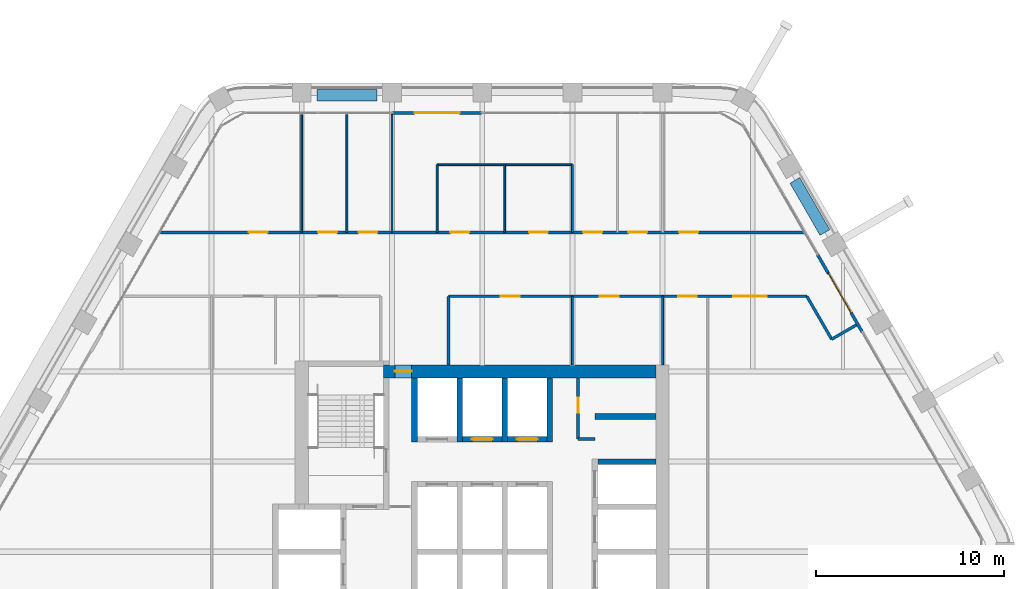
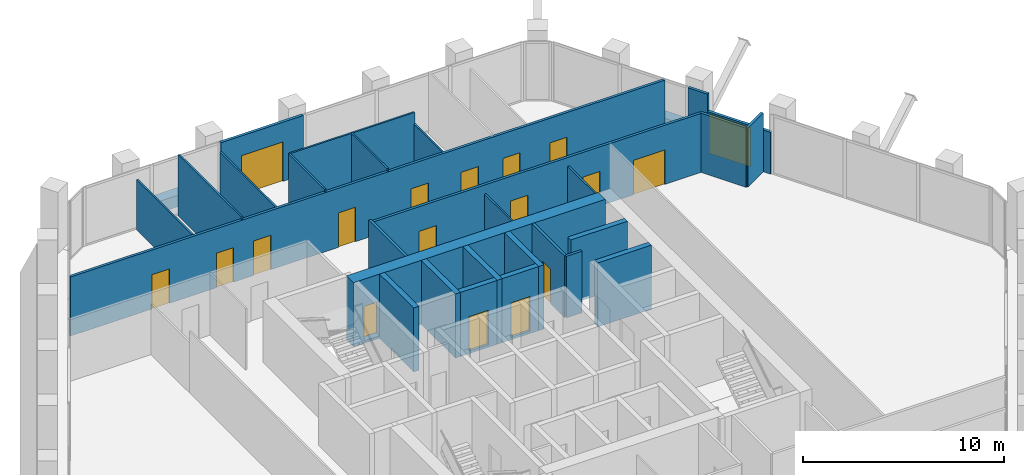
# One storey, part 12 of 16: 30 walls, 18 doors, 18 openings.
"""IFC4 building model written with IfcOpenShell, lengths in metres."""

from ifc_helpers import new_model, si_unit, direction, frame, frame_2d, origin, place, context, subcontext, project, spatial, rectangle, extrude, material, layer, layer_set, type_object, element, fill, save


model = new_model("IFC4")

# Units and contexts
model_context = context("Model", 3, precision=1e-05, world=origin(), true_north=direction((0.0, 1.0)))
body_context = subcontext(model_context, "Body", "Model", "MODEL_VIEW")
ifc_project = project(units=[si_unit("LENGTHUNIT", "METRE"), si_unit("AREAUNIT", "SQUARE_METRE"), si_unit("VOLUMEUNIT", "CUBIC_METRE"), si_unit("PLANEANGLEUNIT", "RADIAN"), si_unit("MASSUNIT", "GRAM", prefix="KILO")], contexts=[model_context])

# Site, building, storey
site_placement = place(None, origin())
site = spatial("IfcSite", under=ifc_project, at=site_placement, CompositionType="ELEMENT")
building_placement = place(site_placement, origin())
building = spatial("IfcBuilding", under=site, at=building_placement, Name="Kolab Exchange Tower", CompositionType="ELEMENT")
storey_placement = place(building_placement, frame((0.0, 0.0, 177.800048828125)))
storey = spatial("IfcBuildingStorey", under=building, at=storey_placement, Name="L37", CompositionType="ELEMENT", Elevation=177.800048828125)

# Wall, opening, door
ifc_material_1 = material(Name="Concrete C60/75", Category="concrete")
ifc_layer_1 = layer(ifc_material_1, 0.699951171875)
ifc_layer_set_1 = layer_set([ifc_layer_1], Name="Concrete C60/75")
wall_type_1 = type_object("IfcWallType", Name="CORE WALL 700 C60/75", PredefinedType="SHEAR", material=ifc_layer_set_1)
wall_1_placement = place(storey_placement, frame((-5.25, 9.60009765625, -0.150146484375), z_axis=(0.0, 0.0, 1.0), x_axis=(1.0, 0.0, 0.0)))
wall_1 = element("IfcWall", 1, at=wall_1_placement, inside=storey, type_object=wall_type_1, Name="wall/L37/core/031", PredefinedType="SHEAR", context=body_context, shape_type="SweptSolid", body=[
    extrude(rectangle(XDim=14.5, YDim=0.699951171875, at=frame_2d((7.25, 0.0))), origin(), (0.0, 0.0, 1.0), 3.900146484375),
])
opening_1_placement = place(wall_1_placement, frame((0.60009765625, 0.0, 0.14990234375)))
opening_1 = element("IfcOpeningElement", 2, at=opening_1_placement, cuts=wall_1, Name="Opening D6-289", PredefinedType="OPENING", context=body_context, shape_type="SweptSolid", body=[
    extrude(rectangle(XDim=0.89990234375, YDim=2.10009765625, at=frame_2d((0.449951171875, 1.050048828125))), frame((0.0, 0.35986328125, 0.0), z_axis=(0.0, -1.0, 0.0), x_axis=(1.0, 0.0, 0.0)), (0.0, 0.0, 1.0), 0.719970703125),
])
ifc_material_2 = material(Name="Steel S235", Category="steel")
door_type_1 = type_object("IfcDoorType", Name="CORE DOOR 900 EI 120", OperationType="SINGLE_SWING_LEFT", PredefinedType="DOOR", material=ifc_material_2)
door_1_placement = place(opening_1_placement, frame((0.89990234375, 0.0, 0.0), z_axis=(0.0, 0.0, 1.0), x_axis=(-1.0, 0.0, 0.0)))
door_1 = element("IfcDoor", 3, at=door_1_placement, inside=storey, type_object=door_type_1, Name="Core lobby door", OperationType="SINGLE_SWING_RIGHT", OverallHeight=2.10009765625, OverallWidth=0.89990234375, PredefinedType="DOOR", context=body_context, shape_type="SweptSolid", body=[
    extrude(rectangle(XDim=0.89990234375, YDim=2.10009765625, at=frame_2d((0.449951171875, 1.050048828125))), frame((0.0, 0.02490234375, 0.0), z_axis=(0.0, -1.0, 0.0), x_axis=(1.0, 0.0, 0.0)), (0.0, 0.0, 1.0), 0.050048828125),
])
fill(opening_1, door_1)

ifc_material_3 = material(Name="Aluminium EN AW-6063 T6", Category="aluminium")
ifc_layer_2 = layer(ifc_material_3, 0.159912109375)
ifc_layer_set_2 = layer_set([ifc_layer_2], Name="Aluminium EN AW-6063 T6")
wall_type_2 = type_object("IfcWallType", Name="DOOR SURROUND WALL 160 ALUMINIUM FRAMED", PredefinedType="PARTITIONING", material=ifc_layer_set_2)
wall_2_placement = place(storey_placement, frame((-4.77001953125, 23.361572265625, 0.0), z_axis=(0.0, 0.0, 1.0), x_axis=(1.0, 0.0, 0.0)))
wall_2 = element("IfcWall", 4, at=wall_2_placement, inside=storey, type_object=wall_type_2, Name="Door surround wall", PredefinedType="PARTITIONING", context=body_context, shape_type="SweptSolid", body=[
    extrude(rectangle(XDim=4.739990234375, YDim=0.159912109375, at=frame_2d((2.3701171875, 0.0))), origin(), (0.0, 0.0, 1.0), 3.599853515625),
])
opening_2_placement = place(wall_2_placement, frame((1.169921875, 0.0, 0.0)))
opening_2 = element("IfcOpeningElement", 5, at=opening_2_placement, cuts=wall_2, Name="Opening GD1-070", PredefinedType="OPENING", context=body_context, shape_type="SweptSolid", body=[
    extrude(rectangle(XDim=2.39990234375, YDim=2.39990234375, at=frame_2d((1.199951171875, 1.199951171875))), frame((0.0, 0.08984375, 0.0), z_axis=(0.0, -1.0, 0.0), x_axis=(1.0, 0.0, 0.0)), (0.0, 0.0, 1.0), 0.179931640625),
])
door_type_2 = type_object("IfcDoorType", Name="LOGGIA SLIDING GLASS DOOR 2400 X 2400", OperationType="DOUBLE_DOOR_SINGLE_SWING", PredefinedType="DOOR", material=ifc_material_3)
door_2_placement = place(opening_2_placement, origin())
door_2 = element("IfcDoor", 6, at=door_2_placement, inside=storey, type_object=door_type_2, Name="Loggia door", OperationType="DOUBLE_DOOR_SLIDING", OverallHeight=2.39990234375, OverallWidth=2.39990234375, PredefinedType="DOOR", context=body_context, shape_type="SweptSolid", body=[
    extrude(rectangle(XDim=2.39990234375, YDim=2.39990234375, at=frame_2d((1.199951171875, 1.199951171875))), frame((0.0, 0.02490234375, 0.0), z_axis=(0.0, -1.0, 0.0), x_axis=(1.0, 0.0, 0.0)), (0.0, 0.0, 1.0), 0.050048828125),
])
fill(opening_2, door_2)

wall_3_placement = place(storey_placement, frame((18.40673828125, 14.841796875, 0.0), z_axis=(0.0, 0.0, 1.0), x_axis=(0.500012402131, -0.866018243292, 0.0)))
wall_3 = element("IfcWall", 7, at=wall_3_placement, inside=storey, type_object=wall_type_2, Name="Door surround wall", PredefinedType="PARTITIONING", context=body_context, shape_type="SweptSolid", body=[
    extrude(rectangle(XDim=3.6201171875, YDim=0.159912109375, at=frame_2d((1.81005859375, 0.0))), origin(), (0.0, 0.0, 1.0), 2.550048828125),
])
opening_3_placement = place(wall_3_placement, frame((0.050048828125, 0.0, 0.0)))
opening_3 = element("IfcOpeningElement", 8, at=opening_3_placement, cuts=wall_3, Name="Opening GD1-080", PredefinedType="OPENING", context=body_context, shape_type="SweptSolid", body=[
    extrude(rectangle(XDim=2.39990234375, YDim=2.39990234375, at=frame_2d((1.199951171875, 1.199951171875))), frame((0.0, 0.08984375, 0.0), z_axis=(0.0, -1.0, 0.0), x_axis=(1.0, 0.0, 0.0)), (0.0, 0.0, 1.0), 0.179931640625),
])
door_3_placement = place(opening_3_placement, origin())
door_3 = element("IfcDoor", 9, at=door_3_placement, inside=storey, type_object=door_type_2, Name="Loggia door", OperationType="DOUBLE_DOOR_SLIDING", OverallHeight=2.39990234375, OverallWidth=2.39990234375, PredefinedType="DOOR", context=body_context, shape_type="SweptSolid", body=[
    extrude(rectangle(XDim=2.39990234375, YDim=2.39990234375, at=frame_2d((1.199951171875, 1.199951171875))), frame((0.0, 0.02490234375, 0.0), z_axis=(0.0, -1.0, 0.0), x_axis=(1.0, 0.0, 0.0)), (0.0, 0.0, 1.0), 0.050048828125),
])
fill(opening_3, door_3)

# Walls
wall_4_placement = place(storey_placement, frame((17.8466796875, 15.811767578125, 0.0), z_axis=(0.0, 0.0, 1.0), x_axis=(0.500030632641, -0.866007717299, 0.0)))
element("IfcWall", 10, at=wall_4_placement, inside=storey, type_object=wall_type_2, Name="Door surround wall", PredefinedType="PARTITIONING", context=body_context, shape_type="SweptSolid", body=[
    extrude(rectangle(XDim=1.1201171875, YDim=0.159912109375, at=frame_2d((0.56005859375, 0.0))), origin(), (0.0, 0.0, 1.0), 3.599853515625),
])
ifc_material_4 = material(Name="Concrete C50/60", Category="concrete")
ifc_layer_3 = layer(ifc_material_4, 0.300048828125)
ifc_layer_set_3 = layer_set([ifc_layer_3], Name="Concrete C50/60")
wall_type_3 = type_object("IfcWallType", Name="LIFT SHAFT WALL 300 C50/60", PredefinedType="STANDARD", material=ifc_layer_set_3)
wall_5_placement = place(storey_placement, frame((6.14990234375, 4.800048828125, -0.150146484375), z_axis=(0.0, 0.0, 1.0), x_axis=(1.0, 0.0, 0.0)))
element("IfcWall", 11, at=wall_5_placement, inside=storey, type_object=wall_type_3, Name="wall/L37/core/026", PredefinedType="STANDARD", context=body_context, shape_type="SweptSolid", body=[
    extrude(rectangle(XDim=3.10009765625, YDim=0.300048828125, at=frame_2d((1.550048828125, 0.0))), origin(), (0.0, 0.0, 1.0), 3.900146484375),
])

# Wall, opening, door
wall_6_placement = place(storey_placement, frame((-1.050048828125, 6.0, -0.150146484375), z_axis=(0.0, 0.0, 1.0), x_axis=(1.0, 0.0, 0.0)))
wall_6 = element("IfcWall", 12, at=wall_6_placement, inside=storey, type_object=wall_type_3, Name="wall/L37/core/028", PredefinedType="STANDARD", context=body_context, shape_type="SweptSolid", body=[
    extrude(rectangle(XDim=2.10009765625, YDim=0.300048828125, at=frame_2d((1.050048828125, 0.0))), origin(), (0.0, 0.0, 1.0), 3.900146484375),
])
opening_4_placement = place(wall_6_placement, frame((0.5, 0.0, 0.14990234375)))
opening_4 = element("IfcOpeningElement", 13, at=opening_4_placement, cuts=wall_6, Name="Opening LD1-113", PredefinedType="OPENING", context=body_context, shape_type="SweptSolid", body=[
    extrude(rectangle(XDim=1.10009765625, YDim=2.10009765625, at=frame_2d((0.550048828125, 1.050048828125))), frame((0.0, 0.16015625, 0.0), z_axis=(0.0, -1.0, 0.0), x_axis=(1.0, 0.0, 0.0)), (0.0, 0.0, 1.0), 0.320068359375),
])
ifc_material_5 = material(Name="Stainless steel 316", Category="steel")
door_type_3 = type_object("IfcDoorType", Name="LANDING DOOR 1100 PASSENGER", OperationType="DOUBLE_DOOR_SLIDING", PredefinedType="DOOR", material=ifc_material_5)
door_4_placement = place(opening_4_placement, origin())
door_4 = element("IfcDoor", 14, at=door_4_placement, inside=storey, type_object=door_type_3, Name="Landing door HR2", OperationType="DOUBLE_DOOR_SLIDING", OverallHeight=2.10009765625, OverallWidth=1.10009765625, PredefinedType="DOOR", context=body_context, shape_type="SweptSolid", body=[
    extrude(rectangle(XDim=1.10009765625, YDim=2.10009765625, at=frame_2d((0.550048828125, 1.050048828125))), frame((0.0, 0.02490234375, 0.0), z_axis=(0.0, -1.0, 0.0), x_axis=(1.0, 0.0, 0.0)), (0.0, 0.0, 1.0), 0.050048828125),
])
fill(opening_4, door_4)

wall_7_placement = place(storey_placement, frame((1.35009765625, 6.0, -0.150146484375), z_axis=(0.0, 0.0, 1.0), x_axis=(1.0, 0.0, 0.0)))
wall_7 = element("IfcWall", 15, at=wall_7_placement, inside=storey, type_object=wall_type_3, Name="wall/L37/core/029", PredefinedType="STANDARD", context=body_context, shape_type="SweptSolid", body=[
    extrude(rectangle(XDim=2.099853515625, YDim=0.300048828125, at=frame_2d((1.0498046875, 0.0))), origin(), (0.0, 0.0, 1.0), 3.900146484375),
])
opening_5_placement = place(wall_7_placement, frame((0.5, 0.0, 0.14990234375)))
opening_5 = element("IfcOpeningElement", 16, at=opening_5_placement, cuts=wall_7, Name="Opening LD1-114", PredefinedType="OPENING", context=body_context, shape_type="SweptSolid", body=[
    extrude(rectangle(XDim=1.10009765625, YDim=2.10009765625, at=frame_2d((0.550048828125, 1.050048828125))), frame((0.0, 0.16015625, 0.0), z_axis=(0.0, -1.0, 0.0), x_axis=(1.0, 0.0, 0.0)), (0.0, 0.0, 1.0), 0.320068359375),
])
door_5_placement = place(opening_5_placement, origin())
door_5 = element("IfcDoor", 17, at=door_5_placement, inside=storey, type_object=door_type_3, Name="Landing door HR3", OperationType="DOUBLE_DOOR_SLIDING", OverallHeight=2.10009765625, OverallWidth=1.10009765625, PredefinedType="DOOR", context=body_context, shape_type="SweptSolid", body=[
    extrude(rectangle(XDim=1.10009765625, YDim=2.10009765625, at=frame_2d((0.550048828125, 1.050048828125))), frame((0.0, 0.02490234375, 0.0), z_axis=(0.0, -1.0, 0.0), x_axis=(1.0, 0.0, 0.0)), (0.0, 0.0, 1.0), 0.050048828125),
])
fill(opening_5, door_5)

# Walls
wall_8_placement = place(storey_placement, frame((6.0, 7.199951171875, -0.150146484375), z_axis=(0.0, 0.0, 1.0), x_axis=(1.0, 0.0, 0.0)))
element("IfcWall", 18, at=wall_8_placement, inside=storey, type_object=wall_type_3, Name="wall/L37/core/030", PredefinedType="STANDARD", context=body_context, shape_type="SweptSolid", body=[
    extrude(rectangle(XDim=3.25, YDim=0.300048828125, at=frame_2d((1.625, 0.0))), origin(), (0.0, 0.0, 1.0), 3.900146484375),
])
for number, where, z_axis, x_axis, name in (
    (19, (-3.60009765625, 5.85009765625, -0.150146484375), (0.0, 0.0, 1.0), (0.0, 1.0, 0.0), "wall/L37/core/045"),
    (20, (-1.199951171875, 5.85009765625, -0.150146484375), (0.0, 0.0, 1.0), (0.0, 1.0, 0.0), "wall/L37/core/048"),
    (21, (1.199951171875, 5.85009765625, -0.150146484375), (0.0, 0.0, 1.0), (0.0, 1.0, 0.0), "wall/L37/core/051"),
    (22, (3.60009765625, 5.85009765625, -0.150146484375), (0.0, 0.0, 1.0), (0.0, 1.0, 0.0), "wall/L37/core/054"),
):
    element("IfcWall", number, at=place(storey_placement, frame(where, z_axis=z_axis, x_axis=x_axis)), inside=storey, type_object=wall_type_3, Name=name, PredefinedType="STANDARD", context=body_context, shape_type="SweptSolid", body=[
        extrude(rectangle(XDim=3.39990234375, YDim=0.300048828125, at=frame_2d((1.699951171875, 0.0))), origin(), (0.0, 0.0, 1.0), 3.900146484375),
    ])
ifc_material_6 = material(Name="Gypsum board", Category="gypsum")
ifc_layer_4 = layer(ifc_material_6, 0.10009765625)
ifc_layer_set_4 = layer_set([ifc_layer_4], Name="Gypsum board")
wall_type_4 = type_object("IfcWallType", Name="PARTITION 100", PredefinedType="PARTITIONING", material=ifc_layer_set_4)
for number, where, z_axis, x_axis, name in (
    (23, (9.60009765625, 9.949951171875, 0.0), (0.0, 0.0, 1.0), (0.0, 1.0, 0.0), "Partition 003"),
    (24, (4.800048828125, 9.949951171875, 0.0), (0.0, 0.0, 1.0), (0.0, 1.0, 0.0), "Partition 010"),
):
    element("IfcWall", number, at=place(storey_placement, frame(where, z_axis=z_axis, x_axis=x_axis)), inside=storey, type_object=wall_type_4, Name=name, PredefinedType="PARTITIONING", context=body_context, shape_type="SweptSolid", body=[
        extrude(rectangle(XDim=3.650146484375, YDim=0.10009765625, at=frame_2d((1.8251953125, 0.0))), origin(), (0.0, 0.0, 1.0), 3.06591796875),
    ])
wall_9_placement = place(storey_placement, frame((4.800048828125, 17.0, 0.0), z_axis=(0.0, 0.0, 1.0), x_axis=(0.0, 1.0, 0.0)))
element("IfcWall", 25, at=wall_9_placement, inside=storey, type_object=wall_type_4, Name="Partition 011", PredefinedType="PARTITIONING", context=body_context, shape_type="SweptSolid", body=[
    extrude(rectangle(XDim=3.60009765625, YDim=0.10009765625, at=frame_2d((1.800048828125, 0.0))), origin(), (0.0, 0.0, 1.0), 3.06591796875),
])
for number, where, z_axis, x_axis, name in (
    (26, (1.199951171875, 17.0, 0.0), (0.0, 0.0, 1.0), (0.0, 1.0, 0.0), "Partition 014"),
    (27, (-2.39990234375, 17.0, 0.0), (0.0, 0.0, 1.0), (0.0, 1.0, 0.0), "Partition 018"),
):
    element("IfcWall", number, at=place(storey_placement, frame(where, z_axis=z_axis, x_axis=x_axis)), inside=storey, type_object=wall_type_4, Name=name, PredefinedType="PARTITIONING", context=body_context, shape_type="SweptSolid", body=[
        extrude(rectangle(XDim=3.60009765625, YDim=0.10009765625, at=frame_2d((1.800048828125, 0.0))), origin(), (0.0, 0.0, 1.0), 3.75),
    ])
wall_10_placement = place(storey_placement, frame((-4.800048828125, 17.0, 0.0), z_axis=(0.0, 0.0, 1.0), x_axis=(0.0, 1.0, 0.0)))
element("IfcWall", 28, at=wall_10_placement, inside=storey, type_object=wall_type_4, Name="Partition 021", PredefinedType="PARTITIONING", context=body_context, shape_type="SweptSolid", body=[
    extrude(rectangle(XDim=6.281494140625, YDim=0.10009765625, at=frame_2d((3.140625, 0.0))), origin(), (0.0, 0.0, 1.0), 3.06591796875),
])
wall_11_placement = place(storey_placement, frame((-7.199951171875, 17.0, 0.0), z_axis=(0.0, 0.0, 1.0), x_axis=(0.0, 1.0, 0.0)))
element("IfcWall", 29, at=wall_11_placement, inside=storey, type_object=wall_type_4, Name="Partition 024", PredefinedType="PARTITIONING", context=body_context, shape_type="SweptSolid", body=[
    extrude(rectangle(XDim=6.271484375, YDim=0.10009765625, at=frame_2d((3.1357421875, 0.0))), origin(), (0.0, 0.0, 1.0), 3.75),
])
wall_12_placement = place(storey_placement, frame((-9.60009765625, 17.0, 0.0), z_axis=(0.0, 0.0, 1.0), x_axis=(0.0, 1.0, 0.0)))
element("IfcWall", 30, at=wall_12_placement, inside=storey, type_object=wall_type_4, Name="Partition 025", PredefinedType="PARTITIONING", context=body_context, shape_type="SweptSolid", body=[
    extrude(rectangle(XDim=6.271484375, YDim=0.10009765625, at=frame_2d((3.1357421875, 0.0))), origin(), (0.0, 0.0, 1.0), 3.06591796875),
])
wall_13_placement = place(storey_placement, frame((-2.39990234375, 20.60009765625, 0.0), z_axis=(0.0, 0.0, 1.0), x_axis=(1.0, 0.0, 0.0)))
element("IfcWall", 31, at=wall_13_placement, inside=storey, type_object=wall_type_4, Name="Partition 043", PredefinedType="PARTITIONING", context=body_context, shape_type="SweptSolid", body=[
    extrude(rectangle(XDim=7.199951171875, YDim=0.10009765625, at=frame_2d((3.60009765625, 0.0))), origin(), (0.0, 0.0, 1.0), 3.75),
])

# Wall, opening, door
ifc_layer_5 = layer(ifc_material_6, 0.14990234375)
ifc_layer_set_5 = layer_set([ifc_layer_5], Name="Gypsum board")
wall_type_5 = type_object("IfcWallType", Name="PARTITION 150 FIRE-RATED", PredefinedType="PARTITIONING", material=ifc_layer_set_5)
wall_14_placement = place(storey_placement, frame((5.10009765625, 6.0, 0.0), z_axis=(0.0, 0.0, 1.0), x_axis=(0.0, 1.0, 0.0)))
wall_14 = element("IfcWall", 32, at=wall_14_placement, inside=storey, type_object=wall_type_5, Name="Partition 008", PredefinedType="PARTITIONING", context=body_context, shape_type="SweptSolid", body=[
    extrude(rectangle(XDim=3.25, YDim=0.14990234375, at=frame_2d((1.625, 0.0))), origin(), (0.0, 0.0, 1.0), 3.75),
])
opening_6_placement = place(wall_14_placement, frame((1.39990234375, 0.0, 0.0)))
opening_6 = element("IfcOpeningElement", 33, at=opening_6_placement, cuts=wall_14, Name="Opening D7-033", PredefinedType="OPENING", context=body_context, shape_type="SweptSolid", body=[
    extrude(rectangle(XDim=0.800048828125, YDim=2.10009765625, at=frame_2d((0.39990234375, 1.050048828125))), frame((0.0, 0.0849609375, 0.0), z_axis=(0.0, -1.0, 0.0), x_axis=(1.0, 0.0, 0.0)), (0.0, 0.0, 1.0), 0.169921875),
])
door_type_4 = type_object("IfcDoorType", Name="FLUSH DOOR 800 FD60", OperationType="SINGLE_SWING_LEFT", PredefinedType="DOOR", material=ifc_material_2)
door_6_placement = place(opening_6_placement, frame((0.800048828125, 0.0, 0.0), z_axis=(0.0, 0.0, 1.0), x_axis=(-1.0, 0.0, 0.0)))
door_6 = element("IfcDoor", 34, at=door_6_placement, inside=storey, type_object=door_type_4, Name="Door L37-023", OperationType="SINGLE_SWING_LEFT", OverallHeight=2.10009765625, OverallWidth=0.800048828125, PredefinedType="DOOR", context=body_context, shape_type="SweptSolid", body=[
    extrude(rectangle(XDim=0.800048828125, YDim=2.10009765625, at=frame_2d((0.39990234375, 1.050048828125))), frame((0.0, 0.02490234375, 0.0), z_axis=(0.0, -1.0, 0.0), x_axis=(1.0, 0.0, 0.0)), (0.0, 0.0, 1.0), 0.050048828125),
])
fill(opening_6, door_6)

# Walls
wall_15_placement = place(storey_placement, frame((-1.800048828125, 9.949951171875, 0.0), z_axis=(0.0, 0.0, 1.0), x_axis=(0.0, 1.0, 0.0)))
element("IfcWall", 35, at=wall_15_placement, inside=storey, type_object=wall_type_5, Name="Partition 016", PredefinedType="PARTITIONING", context=body_context, shape_type="SweptSolid", body=[
    extrude(rectangle(XDim=3.650146484375, YDim=0.14990234375, at=frame_2d((1.8251953125, 0.0))), origin(), (0.0, 0.0, 1.0), 3.75),
])
wall_16_placement = place(storey_placement, frame((17.276123046875, 13.60009765625, 0.0), z_axis=(0.0, 0.0, 1.0), x_axis=(0.499938597367, -0.866060851709, 0.0)))
element("IfcWall", 36, at=wall_16_placement, inside=storey, type_object=wall_type_5, Name="Partition 031", PredefinedType="PARTITIONING", context=body_context, shape_type="SweptSolid", body=[
    extrude(rectangle(XDim=2.639892578125, YDim=0.14990234375, at=frame_2d((1.31982421875, 0.0))), origin(), (0.0, 0.0, 1.0), 3.599853515625),
])
wall_17_placement = place(storey_placement, frame((18.595947265625, 11.313720703125, 0.0), z_axis=(0.0, 0.0, 1.0), x_axis=(0.866030456496, 0.499991248344, 0.0)))
element("IfcWall", 37, at=wall_17_placement, inside=storey, type_object=wall_type_5, Name="Partition 033", PredefinedType="PARTITIONING", context=body_context, shape_type="SweptSolid", body=[
    extrude(rectangle(XDim=1.52001953125, YDim=0.14990234375, at=frame_2d((0.760009765625, 0.0))), origin(), (0.0, 0.0, 1.0), 3.599853515625),
])
wall_18_placement = place(storey_placement, frame((5.10009765625, 6.0, 0.0), z_axis=(0.0, 0.0, 1.0), x_axis=(1.0, 0.0, 0.0)))
element("IfcWall", 38, at=wall_18_placement, inside=storey, type_object=wall_type_5, Name="Partition 039", PredefinedType="PARTITIONING", context=body_context, shape_type="SweptSolid", body=[
    extrude(rectangle(XDim=0.89990234375, YDim=0.14990234375, at=frame_2d((0.449951171875, 0.0))), origin(), (0.0, 0.0, 1.0), 3.75),
])

# Wall, openings, doors
wall_19_placement = place(storey_placement, frame((-1.800048828125, 13.60009765625, 0.0), z_axis=(0.0, 0.0, 1.0), x_axis=(1.0, 0.0, 0.0)))
wall_19 = element("IfcWall", 39, at=wall_19_placement, inside=storey, type_object=wall_type_5, Name="Partition 041", PredefinedType="PARTITIONING", context=body_context, shape_type="SweptSolid", body=[
    extrude(rectangle(XDim=19.076171875, YDim=0.14990234375, at=frame_2d((9.5380859375, 0.0))), origin(), (0.0, 0.0, 1.0), 3.599853515625),
])
opening_7_placement = place(wall_19_placement, frame((2.800048828125, 0.0, 0.0)))
opening_7 = element("IfcOpeningElement", 40, at=opening_7_placement, cuts=wall_19, Name="Opening D1-494", PredefinedType="OPENING", context=body_context, shape_type="SweptSolid", body=[
    extrude(rectangle(XDim=1.0, YDim=2.10009765625, at=frame_2d((0.5, 1.050048828125))), frame((0.0, 0.0849609375, 0.0), z_axis=(0.0, -1.0, 0.0), x_axis=(1.0, 0.0, 0.0)), (0.0, 0.0, 1.0), 0.169921875),
])
opening_8_placement = place(wall_19_placement, frame((8.06494140625, 0.0, 0.0)))
opening_8 = element("IfcOpeningElement", 41, at=opening_8_placement, cuts=wall_19, Name="Opening D1-495", PredefinedType="OPENING", context=body_context, shape_type="SweptSolid", body=[
    extrude(rectangle(XDim=1.0, YDim=2.10009765625, at=frame_2d((0.5, 1.050048828125))), frame((0.0, 0.0849609375, 0.0), z_axis=(0.0, -1.0, 0.0), x_axis=(1.0, 0.0, 0.0)), (0.0, 0.0, 1.0), 0.169921875),
])
opening_9_placement = place(wall_19_placement, frame((12.22509765625, 0.0, 0.0)))
opening_9 = element("IfcOpeningElement", 42, at=opening_9_placement, cuts=wall_19, Name="Opening D1-504", PredefinedType="OPENING", context=body_context, shape_type="SweptSolid", body=[
    extrude(rectangle(XDim=1.0, YDim=2.10009765625, at=frame_2d((0.5, 1.050048828125))), frame((0.0, 0.0849609375, 0.0), z_axis=(0.0, -1.0, 0.0), x_axis=(1.0, 0.0, 0.0)), (0.0, 0.0, 1.0), 0.169921875),
])
opening_10_placement = place(wall_19_placement, frame((15.151611328125, 0.0, 0.0)))
opening_10 = element("IfcOpeningElement", 43, at=opening_10_placement, cuts=wall_19, Name="Opening D2-052", PredefinedType="OPENING", context=body_context, shape_type="SweptSolid", body=[
    extrude(rectangle(XDim=1.800048828125, YDim=2.10009765625, at=frame_2d((0.89990234375, 1.050048828125))), frame((0.0, 0.0849609375, 0.0), z_axis=(0.0, -1.0, 0.0), x_axis=(1.0, 0.0, 0.0)), (0.0, 0.0, 1.0), 0.169921875),
])
door_type_5 = type_object("IfcDoorType", Name="DOUBLE DOOR 1800 FD60", OperationType="DOUBLE_DOOR_SINGLE_SWING", PredefinedType="DOOR", material=ifc_material_2)
door_7_placement = place(opening_10_placement, frame((1.800048828125, 0.0, 0.0), z_axis=(0.0, 0.0, 1.0), x_axis=(-1.0, 0.0, 0.0)))
door_7 = element("IfcDoor", 44, at=door_7_placement, inside=storey, type_object=door_type_5, Name="Door L37-054", OperationType="SINGLE_SWING_LEFT", OverallHeight=2.10009765625, OverallWidth=1.800048828125, PredefinedType="DOOR", context=body_context, shape_type="SweptSolid", body=[
    extrude(rectangle(XDim=1.800048828125, YDim=2.10009765625, at=frame_2d((0.89990234375, 1.050048828125))), frame((0.0, 0.02490234375, 0.0), z_axis=(0.0, -1.0, 0.0), x_axis=(1.0, 0.0, 0.0)), (0.0, 0.0, 1.0), 0.050048828125),
])
fill(opening_10, door_7)
door_type_6 = type_object("IfcDoorType", Name="FLUSH DOOR 1000 FD60", OperationType="SINGLE_SWING_LEFT", PredefinedType="DOOR", material=ifc_material_2)
door_8_placement = place(opening_7_placement, frame((1.0, 0.0, 0.0), z_axis=(0.0, 0.0, 1.0), x_axis=(-1.0, 0.0, 0.0)))
door_8 = element("IfcDoor", 45, at=door_8_placement, inside=storey, type_object=door_type_6, Name="Door L37-031", OperationType="SINGLE_SWING_LEFT", OverallHeight=2.10009765625, OverallWidth=1.0, PredefinedType="DOOR", context=body_context, shape_type="SweptSolid", body=[
    extrude(rectangle(XDim=1.0, YDim=2.10009765625, at=frame_2d((0.5, 1.050048828125))), frame((0.0, 0.02490234375, 0.0), z_axis=(0.0, -1.0, 0.0), x_axis=(1.0, 0.0, 0.0)), (0.0, 0.0, 1.0), 0.050048828125),
])
fill(opening_7, door_8)
door_9_placement = place(opening_8_placement, frame((1.0, 0.0, 0.0), z_axis=(0.0, 0.0, 1.0), x_axis=(-1.0, 0.0, 0.0)))
door_9 = element("IfcDoor", 46, at=door_9_placement, inside=storey, type_object=door_type_6, Name="Door L37-032", OperationType="SINGLE_SWING_LEFT", OverallHeight=2.10009765625, OverallWidth=1.0, PredefinedType="DOOR", context=body_context, shape_type="SweptSolid", body=[
    extrude(rectangle(XDim=1.0, YDim=2.10009765625, at=frame_2d((0.5, 1.050048828125))), frame((0.0, 0.02490234375, 0.0), z_axis=(0.0, -1.0, 0.0), x_axis=(1.0, 0.0, 0.0)), (0.0, 0.0, 1.0), 0.050048828125),
])
fill(opening_8, door_9)
door_10_placement = place(opening_9_placement, frame((1.0, 0.0, 0.0), z_axis=(0.0, 0.0, 1.0), x_axis=(-1.0, 0.0, 0.0)))
door_10 = element("IfcDoor", 47, at=door_10_placement, inside=storey, type_object=door_type_6, Name="Door L37-053", OperationType="SINGLE_SWING_RIGHT", OverallHeight=2.10009765625, OverallWidth=1.0, PredefinedType="DOOR", context=body_context, shape_type="SweptSolid", body=[
    extrude(rectangle(XDim=1.0, YDim=2.10009765625, at=frame_2d((0.5, 1.050048828125))), frame((0.0, 0.02490234375, 0.0), z_axis=(0.0, -1.0, 0.0), x_axis=(1.0, 0.0, 0.0)), (0.0, 0.0, 1.0), 0.050048828125),
])
fill(opening_9, door_10)

wall_20_placement = place(storey_placement, frame((-17.114501953125, 17.0, 0.0), z_axis=(0.0, 0.0, 1.0), x_axis=(1.0, 0.0, 0.0)))
wall_20 = element("IfcWall", 48, at=wall_20_placement, inside=storey, type_object=wall_type_5, Name="Partition 042", PredefinedType="PARTITIONING", context=body_context, shape_type="SweptSolid", body=[
    extrude(rectangle(XDim=34.22900390625, YDim=0.14990234375, at=frame_2d((17.114501953125, 0.0))), origin(), (0.0, 0.0, 1.0), 3.599853515625),
])
opening_11_placement = place(wall_20_placement, frame((15.41943359375, 0.0, 0.0)))
opening_11 = element("IfcOpeningElement", 49, at=opening_11_placement, cuts=wall_20, Name="Opening D1-496", PredefinedType="OPENING", context=body_context, shape_type="SweptSolid", body=[
    extrude(rectangle(XDim=1.0, YDim=2.10009765625, at=frame_2d((0.5, 1.050048828125))), frame((0.0, 0.0849609375, 0.0), z_axis=(0.0, -1.0, 0.0), x_axis=(1.0, 0.0, 0.0)), (0.0, 0.0, 1.0), 0.169921875),
])
opening_12_placement = place(wall_20_placement, frame((19.614501953125, 0.0, 0.0)))
opening_12 = element("IfcOpeningElement", 50, at=opening_12_placement, cuts=wall_20, Name="Opening D1-497", PredefinedType="OPENING", context=body_context, shape_type="SweptSolid", body=[
    extrude(rectangle(XDim=1.0, YDim=2.10009765625, at=frame_2d((0.5, 1.050048828125))), frame((0.0, 0.0849609375, 0.0), z_axis=(0.0, -1.0, 0.0), x_axis=(1.0, 0.0, 0.0)), (0.0, 0.0, 1.0), 0.169921875),
])
opening_13_placement = place(wall_20_placement, frame((4.701171875, 0.0, 0.0)))
opening_13 = element("IfcOpeningElement", 51, at=opening_13_placement, cuts=wall_20, Name="Opening D1-498", PredefinedType="OPENING", context=body_context, shape_type="SweptSolid", body=[
    extrude(rectangle(XDim=1.0, YDim=2.10009765625, at=frame_2d((0.5, 1.050048828125))), frame((0.0, 0.0849609375, 0.0), z_axis=(0.0, -1.0, 0.0), x_axis=(1.0, 0.0, 0.0)), (0.0, 0.0, 1.0), 0.169921875),
])
opening_14_placement = place(wall_20_placement, frame((8.389404296875, 0.0, 0.0)))
opening_14 = element("IfcOpeningElement", 52, at=opening_14_placement, cuts=wall_20, Name="Opening D1-499", PredefinedType="OPENING", context=body_context, shape_type="SweptSolid", body=[
    extrude(rectangle(XDim=1.0, YDim=2.10009765625, at=frame_2d((0.5, 1.050048828125))), frame((0.0, 0.0849609375, 0.0), z_axis=(0.0, -1.0, 0.0), x_axis=(1.0, 0.0, 0.0)), (0.0, 0.0, 1.0), 0.169921875),
])
opening_15_placement = place(wall_20_placement, frame((10.539306640625, 0.0, 0.0)))
opening_15 = element("IfcOpeningElement", 53, at=opening_15_placement, cuts=wall_20, Name="Opening D1-500", PredefinedType="OPENING", context=body_context, shape_type="SweptSolid", body=[
    extrude(rectangle(XDim=1.0, YDim=2.10009765625, at=frame_2d((0.5, 1.050048828125))), frame((0.0, 0.0849609375, 0.0), z_axis=(0.0, -1.0, 0.0), x_axis=(1.0, 0.0, 0.0)), (0.0, 0.0, 1.0), 0.169921875),
])
opening_16_placement = place(wall_20_placement, frame((22.489501953125, 0.0, 0.0)))
opening_16 = element("IfcOpeningElement", 54, at=opening_16_placement, cuts=wall_20, Name="Opening D1-501", PredefinedType="OPENING", context=body_context, shape_type="SweptSolid", body=[
    extrude(rectangle(XDim=1.0, YDim=2.10009765625, at=frame_2d((0.5, 1.050048828125))), frame((0.0, 0.0849609375, 0.0), z_axis=(0.0, -1.0, 0.0), x_axis=(1.0, 0.0, 0.0)), (0.0, 0.0, 1.0), 0.169921875),
])
opening_17_placement = place(wall_20_placement, frame((24.889404296875, 0.0, 0.0)))
opening_17 = element("IfcOpeningElement", 55, at=opening_17_placement, cuts=wall_20, Name="Opening D1-502", PredefinedType="OPENING", context=body_context, shape_type="SweptSolid", body=[
    extrude(rectangle(XDim=1.0, YDim=2.10009765625, at=frame_2d((0.5, 1.050048828125))), frame((0.0, 0.0849609375, 0.0), z_axis=(0.0, -1.0, 0.0), x_axis=(1.0, 0.0, 0.0)), (0.0, 0.0, 1.0), 0.169921875),
])
opening_18_placement = place(wall_20_placement, frame((27.599365234375, 0.0, 0.0)))
opening_18 = element("IfcOpeningElement", 56, at=opening_18_placement, cuts=wall_20, Name="Opening D1-503", PredefinedType="OPENING", context=body_context, shape_type="SweptSolid", body=[
    extrude(rectangle(XDim=1.0, YDim=2.10009765625, at=frame_2d((0.5, 1.050048828125))), frame((0.0, 0.0849609375, 0.0), z_axis=(0.0, -1.0, 0.0), x_axis=(1.0, 0.0, 0.0)), (0.0, 0.0, 1.0), 0.169921875),
])
door_11_placement = place(opening_11_placement, origin())
door_11 = element("IfcDoor", 57, at=door_11_placement, inside=storey, type_object=door_type_6, Name="Door L37-038", OperationType="SINGLE_SWING_LEFT", OverallHeight=2.10009765625, OverallWidth=1.0, PredefinedType="DOOR", context=body_context, shape_type="SweptSolid", body=[
    extrude(rectangle(XDim=1.0, YDim=2.10009765625, at=frame_2d((0.5, 1.050048828125))), frame((0.0, 0.02490234375, 0.0), z_axis=(0.0, -1.0, 0.0), x_axis=(1.0, 0.0, 0.0)), (0.0, 0.0, 1.0), 0.050048828125),
])
fill(opening_11, door_11)
door_12_placement = place(opening_12_placement, origin())
door_12 = element("IfcDoor", 58, at=door_12_placement, inside=storey, type_object=door_type_6, Name="Door L37-039", OperationType="SINGLE_SWING_RIGHT", OverallHeight=2.10009765625, OverallWidth=1.0, PredefinedType="DOOR", context=body_context, shape_type="SweptSolid", body=[
    extrude(rectangle(XDim=1.0, YDim=2.10009765625, at=frame_2d((0.5, 1.050048828125))), frame((0.0, 0.02490234375, 0.0), z_axis=(0.0, -1.0, 0.0), x_axis=(1.0, 0.0, 0.0)), (0.0, 0.0, 1.0), 0.050048828125),
])
fill(opening_12, door_12)
door_13_placement = place(opening_13_placement, origin())
door_13 = element("IfcDoor", 59, at=door_13_placement, inside=storey, type_object=door_type_6, Name="Door L37-040", OperationType="SINGLE_SWING_RIGHT", OverallHeight=2.10009765625, OverallWidth=1.0, PredefinedType="DOOR", context=body_context, shape_type="SweptSolid", body=[
    extrude(rectangle(XDim=1.0, YDim=2.10009765625, at=frame_2d((0.5, 1.050048828125))), frame((0.0, 0.02490234375, 0.0), z_axis=(0.0, -1.0, 0.0), x_axis=(1.0, 0.0, 0.0)), (0.0, 0.0, 1.0), 0.050048828125),
])
fill(opening_13, door_13)
door_14_placement = place(opening_14_placement, origin())
door_14 = element("IfcDoor", 60, at=door_14_placement, inside=storey, type_object=door_type_6, Name="Door L37-041", OperationType="SINGLE_SWING_RIGHT", OverallHeight=2.10009765625, OverallWidth=1.0, PredefinedType="DOOR", context=body_context, shape_type="SweptSolid", body=[
    extrude(rectangle(XDim=1.0, YDim=2.10009765625, at=frame_2d((0.5, 1.050048828125))), frame((0.0, 0.02490234375, 0.0), z_axis=(0.0, -1.0, 0.0), x_axis=(1.0, 0.0, 0.0)), (0.0, 0.0, 1.0), 0.050048828125),
])
fill(opening_14, door_14)
door_15_placement = place(opening_15_placement, origin())
door_15 = element("IfcDoor", 61, at=door_15_placement, inside=storey, type_object=door_type_6, Name="Door L37-042", OperationType="SINGLE_SWING_LEFT", OverallHeight=2.10009765625, OverallWidth=1.0, PredefinedType="DOOR", context=body_context, shape_type="SweptSolid", body=[
    extrude(rectangle(XDim=1.0, YDim=2.10009765625, at=frame_2d((0.5, 1.050048828125))), frame((0.0, 0.02490234375, 0.0), z_axis=(0.0, -1.0, 0.0), x_axis=(1.0, 0.0, 0.0)), (0.0, 0.0, 1.0), 0.050048828125),
])
fill(opening_15, door_15)
door_16_placement = place(opening_16_placement, origin())
door_16 = element("IfcDoor", 62, at=door_16_placement, inside=storey, type_object=door_type_6, Name="Door L37-043", OperationType="SINGLE_SWING_LEFT", OverallHeight=2.10009765625, OverallWidth=1.0, PredefinedType="DOOR", context=body_context, shape_type="SweptSolid", body=[
    extrude(rectangle(XDim=1.0, YDim=2.10009765625, at=frame_2d((0.5, 1.050048828125))), frame((0.0, 0.02490234375, 0.0), z_axis=(0.0, -1.0, 0.0), x_axis=(1.0, 0.0, 0.0)), (0.0, 0.0, 1.0), 0.050048828125),
])
fill(opening_16, door_16)
door_17_placement = place(opening_17_placement, origin())
door_17 = element("IfcDoor", 63, at=door_17_placement, inside=storey, type_object=door_type_6, Name="Door L37-044", OperationType="SINGLE_SWING_LEFT", OverallHeight=2.10009765625, OverallWidth=1.0, PredefinedType="DOOR", context=body_context, shape_type="SweptSolid", body=[
    extrude(rectangle(XDim=1.0, YDim=2.10009765625, at=frame_2d((0.5, 1.050048828125))), frame((0.0, 0.02490234375, 0.0), z_axis=(0.0, -1.0, 0.0), x_axis=(1.0, 0.0, 0.0)), (0.0, 0.0, 1.0), 0.050048828125),
])
fill(opening_17, door_17)
door_18_placement = place(opening_18_placement, origin())
door_18 = element("IfcDoor", 64, at=door_18_placement, inside=storey, type_object=door_type_6, Name="Door L37-045", OperationType="SINGLE_SWING_LEFT", OverallHeight=2.10009765625, OverallWidth=1.0, PredefinedType="DOOR", context=body_context, shape_type="SweptSolid", body=[
    extrude(rectangle(XDim=1.0, YDim=2.10009765625, at=frame_2d((0.5, 1.050048828125))), frame((0.0, 0.02490234375, 0.0), z_axis=(0.0, -1.0, 0.0), x_axis=(1.0, 0.0, 0.0)), (0.0, 0.0, 1.0), 0.050048828125),
])
fill(opening_18, door_18)

# Walls
ifc_material_7 = material(Name="Granite facing", Category="masonry")
ifc_layer_6 = layer(ifc_material_7, 0.0400390625)
ifc_material_8 = material(Name="Concrete C40/50 precast", Category="concrete")
ifc_layer_7 = layer(ifc_material_8, 0.56005859375)
ifc_layer_set_6 = layer_set([ifc_layer_6, ifc_layer_7], Name="Concrete C40/50 precast")
wall_type_6 = type_object("IfcWallType", Name="PLANTER BOX 600 X 700 SOIL DEPTH 550", PredefinedType="USERDEFINED", material=ifc_layer_set_6)
for number, where, z_axis, x_axis, name in (
    (65, (-8.800048828125, 24.29150390625, 0.0), (0.0, 0.0, 1.0), (1.0, 0.0, 0.0), "Planter"),
    (66, (16.636962890625, 19.766845703125, 0.0), (0.0, 0.0, 1.0), (0.500028443584, -0.866008981251, 0.0), "Planter"),
):
    element("IfcWall", number, at=place(storey_placement, frame(where, z_axis=z_axis, x_axis=x_axis)), inside=storey, type_object=wall_type_6, Name=name, ObjectType="PLANTER", PredefinedType="USERDEFINED", context=body_context, shape_type="SweptSolid", body=[
        extrude(rectangle(XDim=3.199951171875, YDim=0.60009765625, at=frame_2d((1.60009765625, 0.0))), origin(), (0.0, 0.0, 1.0), 0.699951171875),
    ])

save(model, "model.ifc")
